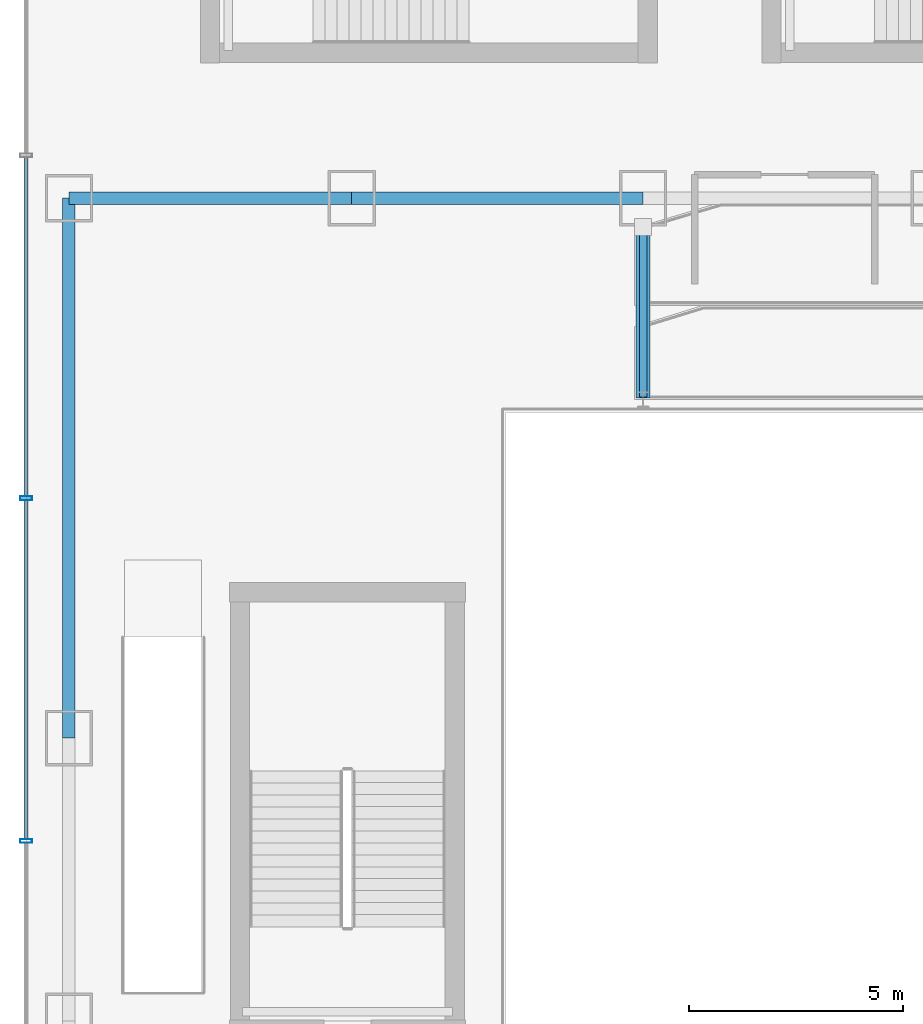
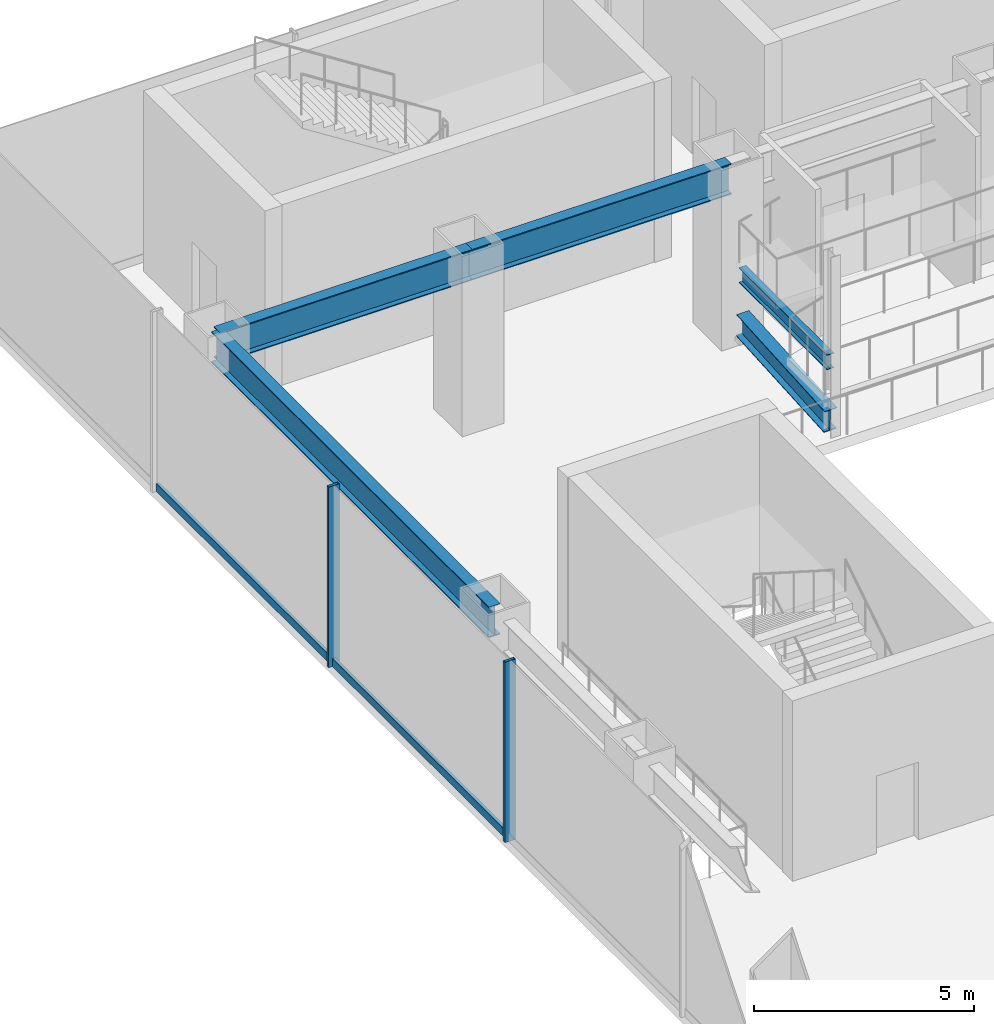
# One storey, part 12 of 39: 5 beams, 4 members, 1 element without a shape of its own.
"""IFC4 building model written with IfcOpenShell, lengths in metres."""

from ifc_helpers import new_model, si_unit, derived_unit, direction, frame, origin, origin_2d, place, context, subcontext, project, spatial, hollow_rectangle, i_section, extrude, source, transform, mapped, material, material_profile, profile_set, type_object, element, aggregate, save


model = new_model("IFC4")

# Units and contexts
model_context = context("Model", 3, precision=1e-05, world=origin(), true_north=direction((0.0, 1.0)))
body_context = subcontext(model_context, "Body", "Model", "MODEL_VIEW")
ifc_project = project(units=[si_unit("LENGTHUNIT", "METRE"), si_unit("AREAUNIT", "SQUARE_METRE"), si_unit("VOLUMEUNIT", "CUBIC_METRE"), si_unit("PLANEANGLEUNIT", "RADIAN"), si_unit("MASSUNIT", "GRAM", prefix="KILO"), derived_unit("THERMALTRANSMITTANCEUNIT", [(si_unit("POWERUNIT", "WATT"), 1), (si_unit("LENGTHUNIT", "METRE"), -2), (si_unit("THERMODYNAMICTEMPERATUREUNIT", "KELVIN"), -1)])], contexts=[model_context])

# Site, building, storey
site_placement = place(None, origin())
site = spatial("IfcSite", under=ifc_project, at=site_placement, CompositionType="ELEMENT")
building_placement = place(site_placement, origin())
building = spatial("IfcBuilding", under=site, at=building_placement, Name="Skarnbrae Concourse Arena and Tower", CompositionType="ELEMENT")
storey_placement = place(building_placement, frame((0.0, 0.0, 11.0)))
storey = spatial("IfcBuildingStorey", under=building, at=storey_placement, Name="L02", CompositionType="ELEMENT", Elevation=11.0)

# Beams
ifc_material_1 = material(Name="Steel CSA G40.21 350W", Category="steel")
ifc_material_profile_1 = material_profile(ifc_material_1, i_section(OverallWidth=0.2939453125, OverallDepth=0.85107421875, WebThickness=0.01611328125, FlangeThickness=0.02685546875, at=origin_2d()), Name="W840X226")
ifc_profile_set_1 = profile_set([ifc_material_profile_1], Name="Steel CSA G40.21 350W")
beam_type_1 = type_object("IfcBeamType", Name="BM-GIRD-W840X226", PredefinedType="BEAM", material=ifc_profile_set_1)
shared_shape_1 = source(origin(), body_context, "Body", "SweptSolid", [
    extrude(i_section(OverallWidth=0.2939453125, OverallDepth=0.85107421875, WebThickness=0.01611328125, FlangeThickness=0.02685546875, at=origin_2d()), origin(), (0.0, 0.0, 1.0), 6.60009765625),
])
beam_1_placement = place(storey_placement, frame((1.0, 47.0, 4.2744140625), z_axis=(1.0, 0.0, 0.0), x_axis=(0.0, 1.0, 0.0)))
element("IfcBeam", 1, at=beam_1_placement, inside=storey, type_object=beam_type_1, Name="L02 Podium north girder 1", PredefinedType="BEAM", context=body_context, shape_type="MappedRepresentation", body=[
    mapped(shared_shape_1, transform((0.0, 0.0, 0.0))),
])
shared_shape_2 = source(origin(), body_context, "Body", "SweptSolid", [
    extrude(i_section(OverallWidth=0.2939453125, OverallDepth=0.85107421875, WebThickness=0.01611328125, FlangeThickness=0.02685546875, at=origin_2d()), origin(), (0.0, 0.0, 1.0), 6.7998046875),
])
beam_2_placement = place(storey_placement, frame((7.60009765625, 47.0, 4.2744140625), z_axis=(1.0, 0.0, 0.0), x_axis=(0.0, 1.0, 0.0)))
element("IfcBeam", 2, at=beam_2_placement, inside=storey, type_object=beam_type_1, Name="L02 Podium north girder 2", PredefinedType="BEAM", context=body_context, shape_type="MappedRepresentation", body=[
    mapped(shared_shape_2, transform((0.0, 0.0, 0.0))),
])
shared_shape_3 = source(origin(), body_context, "Body", "SweptSolid", [
    extrude(i_section(OverallWidth=0.2939453125, OverallDepth=0.85107421875, WebThickness=0.01611328125, FlangeThickness=0.02685546875, at=origin_2d()), origin(), (0.0, 0.0, 1.0), 12.60009765625),
])
beam_3_placement = place(storey_placement, frame((1.0, 34.39990234375, 4.2744140625), z_axis=(0.0, 1.0, 0.0), x_axis=(-1.0, 0.0, 0.0)))
element("IfcBeam", 3, at=beam_3_placement, inside=storey, type_object=beam_type_1, Name="L02 Podium west girder 5", PredefinedType="BEAM", context=body_context, shape_type="MappedRepresentation", body=[
    mapped(shared_shape_3, transform((0.0, 0.0, 0.0))),
])
ifc_material_profile_2 = material_profile(ifc_material_1, i_section(OverallWidth=0.180908203125, OverallDepth=0.4169921875, WebThickness=0.010986328125, FlangeThickness=0.018310546875, at=origin_2d()), Name="W410X85")
ifc_profile_set_2 = profile_set([ifc_material_profile_2], Name="Steel CSA G40.21 350W")
beam_type_2 = type_object("IfcBeamType", Name="BM-JOIST-W410X85", PredefinedType="JOIST", material=ifc_profile_set_2)
shared_shape_4 = source(origin(), body_context, "Body", "SweptSolid", [
    extrude(i_section(OverallWidth=0.180908203125, OverallDepth=0.4169921875, WebThickness=0.010986328125, FlangeThickness=0.018310546875, at=origin_2d()), origin(), (0.0, 0.0, 1.0), 4.0),
])
beam_4_placement = place(storey_placement, frame((14.39990234375, 42.360107421875, 1.94140625), z_axis=(0.0, 1.0, 0.0), x_axis=(-1.0, 0.0, 0.0)))
element("IfcBeam", 4, at=beam_4_placement, inside=storey, type_object=beam_type_2, Name="L02 Arena upper seating tier cradle beam N01", PredefinedType="JOIST", context=body_context, shape_type="MappedRepresentation", body=[
    mapped(shared_shape_4, transform((0.0, 0.0, 0.0))),
])
ifc_material_profile_3 = material_profile(ifc_material_1, i_section(OverallWidth=0.323974609375, OverallDepth=0.611083984375, WebThickness=0.0126953125, FlangeThickness=0.01904296875, at=origin_2d()), Name="W610X155")
ifc_profile_set_3 = profile_set([ifc_material_profile_3], Name="Steel CSA G40.21 350W")
beam_type_3 = type_object("IfcBeamType", Name="BM-RAKER-W610X155", PredefinedType="USERDEFINED", material=ifc_profile_set_3)
shared_shape_5 = source(origin(), body_context, "Body", "SweptSolid", [
    extrude(i_section(OverallWidth=0.323974609375, OverallDepth=0.611083984375, WebThickness=0.0126953125, FlangeThickness=0.01904296875, at=origin_2d()), origin(), (0.0, 0.0, 1.0), 4.008544921875),
])
beam_5_placement = place(storey_placement, frame((14.39990234375, 42.360107421875, 0.320068359375), z_axis=(0.0, 0.997894012809, 0.064865547097), x_axis=(-1.0, 0.0, 0.0)))
element("IfcBeam", 5, at=beam_5_placement, inside=storey, type_object=beam_type_3, Name="L02 Arena bowl sloped raker beam RB-N01", ObjectType="RAKER", PredefinedType="USERDEFINED", context=body_context, shape_type="MappedRepresentation", body=[
    mapped(shared_shape_5, transform((0.0, 0.0, 0.0))),
])

# Curtain wall, members
ifc_material_2 = material(Name="Bronze anodised aluminium 6063-T6", Category="aluminium")
curtain_wall_type = type_object("IfcCurtainWallType", Name="CW-SYS-01-PODIUM", PredefinedType="USERDEFINED", material=ifc_material_2)
curtain_wall_placement = place(storey_placement, origin())
curtain_wall = element("IfcCurtainWall", 6, at=curtain_wall_placement, inside=storey, type_object=curtain_wall_type, Name="L02 Unitised curtain wall CW-L02-W", ObjectType="UNITISED CURTAIN WALL", PredefinedType="USERDEFINED")
ifc_material_profile_4 = material_profile(ifc_material_2, hollow_rectangle(XDim=0.0849609375, YDim=0.280029296875, WallThickness=0.006103515625, at=origin_2d()), Name="ALU-MULL-85X280")
ifc_profile_set_4 = profile_set([ifc_material_profile_4], Name="Bronze anodised aluminium 6063-T6")
member_type_1 = type_object("IfcMemberType", Name="CWM-CW-01", PredefinedType="MULLION", material=ifc_profile_set_4)
shared_shape_6 = source(origin(), body_context, "Body", "SweptSolid", [
    extrude(hollow_rectangle(XDim=0.0849609375, YDim=0.280029296875, WallThickness=0.006103515625, at=origin_2d()), origin(), (0.0, 0.0, 1.0), 5.0),
])
member_1_placement = place(storey_placement, frame((0.0, 40.0, 0.0), z_axis=(0.0, 0.0, 1.0), x_axis=(0.0, -1.0, 0.0)))
member_1 = element("IfcMember", 7, at=member_1_placement, type_object=member_type_1, Name="CW-L02-W Mullion 3", PredefinedType="MULLION", context=body_context, shape_type="MappedRepresentation", body=[
    mapped(shared_shape_6, transform((0.0, 0.0, 0.0))),
])
member_2_placement = place(storey_placement, frame((0.0, 32.0, 0.0), z_axis=(0.0, 0.0, 1.0), x_axis=(0.0, -1.0, 0.0)))
member_2 = element("IfcMember", 8, at=member_2_placement, type_object=member_type_1, Name="CW-L02-W Mullion 4", PredefinedType="MULLION", context=body_context, shape_type="MappedRepresentation", body=[
    mapped(shared_shape_6, transform((0.0, 0.0, 0.0))),
])
ifc_material_profile_5 = material_profile(ifc_material_2, hollow_rectangle(XDim=0.0849609375, YDim=0.219970703125, WallThickness=0.006103515625, at=origin_2d()), Name="ALU-TRAN-85X220")
ifc_profile_set_5 = profile_set([ifc_material_profile_5], Name="Bronze anodised aluminium 6063-T6")
member_type_2 = type_object("IfcMemberType", Name="CWT-CW-01", PredefinedType="USERDEFINED", material=ifc_profile_set_5)
shared_shape_7 = source(origin(), body_context, "Body", "SweptSolid", [
    extrude(hollow_rectangle(XDim=0.0849609375, YDim=0.219970703125, WallThickness=0.006103515625, at=origin_2d()), origin(), (0.0, 0.0, 1.0), 7.9150390625),
])
member_3_placement = place(storey_placement, frame((0.0, 47.95751953125, 0.110107421875), z_axis=(0.0, -1.0, 0.0), x_axis=(1.0, 0.0, 0.0)))
member_3 = element("IfcMember", 9, at=member_3_placement, type_object=member_type_2, Name="CW-L02-W Transom 2", ObjectType="TRANSOM", PredefinedType="USERDEFINED", context=body_context, shape_type="MappedRepresentation", body=[
    mapped(shared_shape_7, transform((0.0, 0.0, 0.0))),
])
member_4_placement = place(storey_placement, frame((0.0, 39.95751953125, 0.110107421875), z_axis=(0.0, -1.0, 0.0), x_axis=(1.0, 0.0, 0.0)))
member_4 = element("IfcMember", 10, at=member_4_placement, type_object=member_type_2, Name="CW-L02-W Transom 3", ObjectType="TRANSOM", PredefinedType="USERDEFINED", context=body_context, shape_type="MappedRepresentation", body=[
    mapped(shared_shape_7, transform((0.0, 0.0, 0.0))),
])
aggregate(curtain_wall, [member_1, member_2, member_3, member_4])

save(model, "model.ifc")
